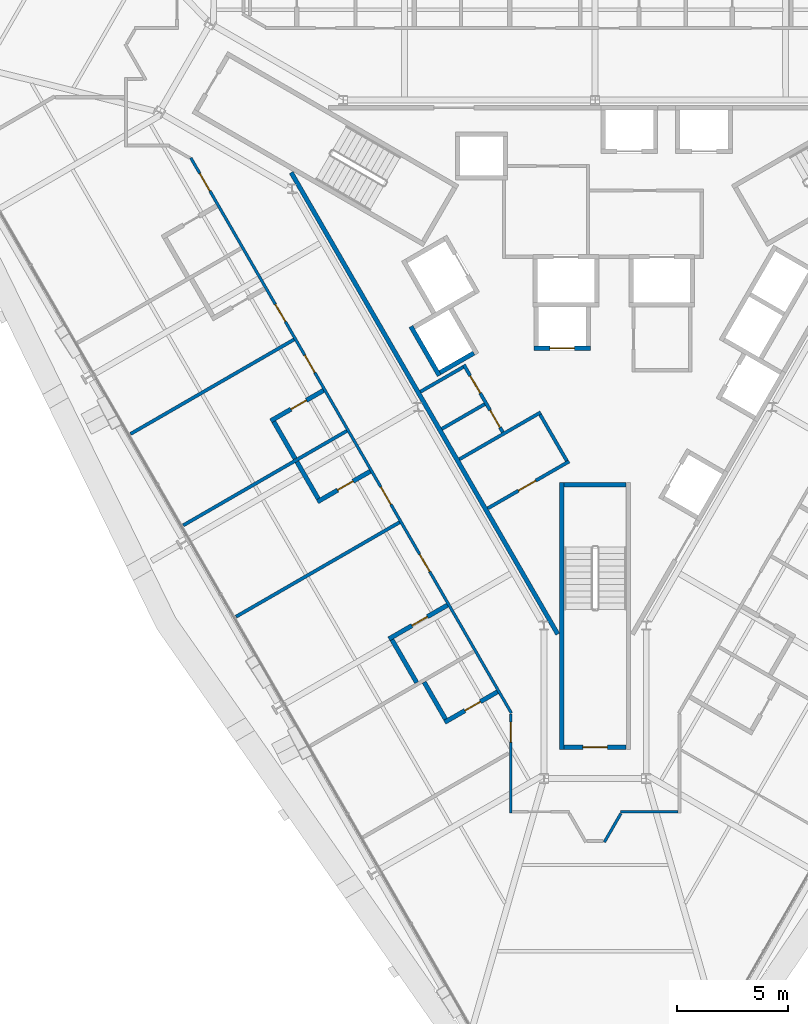
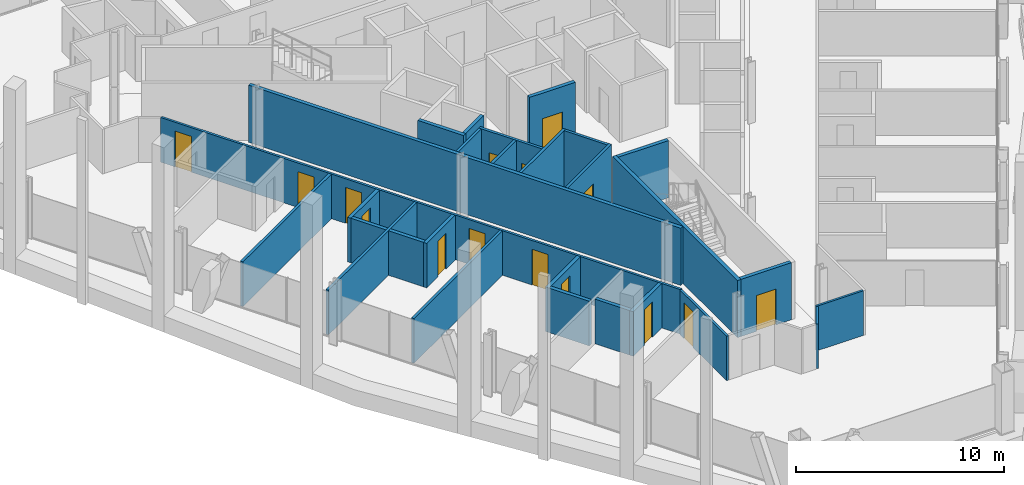
# One storey, part 13 of 21: 28 walls, 15 doors, 15 openings.
"""IFC4 building model written with IfcOpenShell, lengths in metres."""

import ifcopenshell
import ifcopenshell.guid

model = None  # the IFC model being written
_history = None  # IfcOwnerHistory: only IFC2X3 demands one
_inside = {}  # id of a spatial element -> (the spatial element, [elements in it])
_under = {}  # id of a project, library or spatial element -> (it, [spatial elements below it])
_declared = {}  # id of a project -> (the project, [libraries it declares])
_typed = {}  # id of a type object -> (the type object, [elements of that type])
_made_of = {}  # id of a material, layer set ... -> (it, [elements and type objects made of it])


def new_model(schema):
    """Start an empty IFC model of exactly this schema.

    Asked for "IFC4X3", IfcOpenShell would pick the latest addendum, in which some entities
    have other attributes; the version numbers below select the first issue.
    IFC2X3 requires an IfcOwnerHistory on every rooted entity: one is made here for all.
    """
    global model, _history
    if schema == "IFC4X3":
        model = ifcopenshell.file(schema_version=(4, 3, 0, 0))
    else:
        model = ifcopenshell.file(schema=schema)
    _inside.clear()
    _under.clear()
    _declared.clear()
    _typed.clear()
    _made_of.clear()
    _history = None
    if model.schema == "IFC2X3":
        org = make("IfcOrganization", Name="unknown")
        user = make(
            "IfcPersonAndOrganization",
            ThePerson=make("IfcPerson", FamilyName="unknown"),
            TheOrganization=org,
        )
        app = make(
            "IfcApplication",
            ApplicationDeveloper=org,
            Version="unknown",
            ApplicationFullName="unknown",
            ApplicationIdentifier="unknown",
        )
        _history = make(
            "IfcOwnerHistory",
            OwningUser=user,
            OwningApplication=app,
            ChangeAction="ADDED",
            CreationDate=0,
        )
    return model


def make(cls, **values):
    """One entity of the class cls with the attributes given. An attribute that is None is left unset."""
    return model.create_entity(
        cls, **{name: value for name, value in values.items() if value is not None}
    )


def rooted(cls, **values):
    """An entity with a GlobalId (a new one), such as an element, a storey or a relation."""
    return make(cls, GlobalId=ifcopenshell.guid.new(), OwnerHistory=_history, **values)


def si_unit(unit_type, name, prefix=None):
    """IfcSIUnit, for example si_unit("LENGTHUNIT", "METRE", prefix="MILLI")."""
    return make("IfcSIUnit", UnitType=unit_type, Prefix=prefix, Name=name)


def assignment(units):
    """IfcUnitAssignment: the units of a project."""
    return None if units is None else make("IfcUnitAssignment", Units=units)


def point(xyz):
    """IfcCartesianPoint."""
    return None if xyz is None else make("IfcCartesianPoint", Coordinates=xyz)


def direction(xyz):
    """IfcDirection."""
    return None if xyz is None else make("IfcDirection", DirectionRatios=xyz)


def frame(location, z_axis=None, x_axis=None):
    """IfcAxis2Placement3D, a coordinate frame: its origin and axes. An axis left out is left unset."""
    return make(
        "IfcAxis2Placement3D",
        Location=point(location),
        Axis=direction(z_axis),
        RefDirection=direction(x_axis),
    )


def frame_2d(location, x_axis=None):
    """IfcAxis2Placement2D, a coordinate frame in the plane: its origin and x axis."""
    return make(
        "IfcAxis2Placement2D", Location=point(location), RefDirection=direction(x_axis)
    )


def origin():
    """The frame at (0, 0, 0) with its axes left unset."""
    return frame((0.0, 0.0, 0.0))


def place(relative_to, where):
    """IfcLocalPlacement: puts the frame where relative to a parent placement (None: the world)."""
    return make(
        "IfcLocalPlacement", PlacementRelTo=relative_to, RelativePlacement=where
    )


def context(
    kind, dimensions, precision=None, world=None, true_north=None, identifier=None
):
    """IfcGeometricRepresentationContext, for example the 3D "Model" context."""
    return make(
        "IfcGeometricRepresentationContext",
        ContextIdentifier=identifier,
        ContextType=kind,
        CoordinateSpaceDimension=dimensions,
        Precision=precision,
        WorldCoordinateSystem=world,
        TrueNorth=true_north,
    )


def subcontext(parent, identifier, kind, view, scale=None):
    """IfcGeometricRepresentationSubContext, for example "Body" below "Model"."""
    return make(
        "IfcGeometricRepresentationSubContext",
        ContextIdentifier=identifier,
        ContextType=kind,
        ParentContext=parent,
        TargetScale=scale,
        TargetView=view,
    )


def project(units=None, contexts=None):
    """IfcProject with its units and contexts."""
    return rooted(
        "IfcProject",
        Name="project",
        RepresentationContexts=contexts,
        UnitsInContext=assignment(units),
    )


def spatial(cls, under=None, at=None, **own):
    """A site, building, storey or space (cls), placed at a placement, below another one or the project."""
    s = rooted(cls, ObjectPlacement=at, **own)
    if under is not None:
        _under.setdefault(under.id(), (under, []))[1].append(s)
    return s


def profile(cls, at=None, kind="AREA", **sizes):
    """A parametric profile (cls). Its sizes go by their IFC names, for example OverallWidth=200.0."""
    return make(cls, ProfileType=kind, Position=at, **sizes)


def rectangle(**sizes):
    """IfcRectangleProfileDef."""
    return profile("IfcRectangleProfileDef", **sizes)


def extrude(swept, where, along, depth):
    """IfcExtrudedAreaSolid: the profile swept, set in the frame where, extruded along a direction by depth."""
    return make(
        "IfcExtrudedAreaSolid",
        SweptArea=swept,
        Position=where,
        ExtrudedDirection=direction(along),
        Depth=depth,
    )


def shape(context_of_items, identifier, shape_type, items):
    """IfcShapeRepresentation: the items that make up one representation, for example the "Body"."""
    return make(
        "IfcShapeRepresentation",
        ContextOfItems=context_of_items,
        RepresentationIdentifier=identifier,
        RepresentationType=shape_type,
        Items=items,
    )


def material(Name=None, Category=None):
    """IfcMaterial."""
    return make("IfcMaterial", Name=Name, Category=Category)


def layer(
    of_material, thickness, ventilated=None, Name=None, Category=None, Priority=None
):
    """IfcMaterialLayer: one layer of a wall or slab, of a material (None: an air gap)."""
    return make(
        "IfcMaterialLayer",
        Material=of_material,
        LayerThickness=thickness,
        IsVentilated=ventilated,
        Name=Name,
        Category=Category,
        Priority=Priority,
    )


def layer_set(layers, Name=None):
    """IfcMaterialLayerSet."""
    return make("IfcMaterialLayerSet", MaterialLayers=layers, LayerSetName=Name)


def made_of(thing, what):
    """Note that an element or type object is made of a material, layer set ...; save() writes the relation."""
    if what is not None:
        _made_of.setdefault(what.id(), (what, []))[1].append(thing)
    return thing


def type_object(cls, material=None, **own):
    """A type object (cls), such as IfcWallType, which elements share."""
    return made_of(rooted(cls, **own), material)


def element(
    cls,
    number,
    at=None,
    inside=None,
    cuts=None,
    type_object=None,
    material=None,
    context=None,
    identifier="Body",
    shape_type=None,
    held_by="IfcProductDefinitionShape",
    body=None,
    shapes=None,
    **own,
):
    """One element of the class cls, such as IfcWall. Its Tag is "e" and its number.

    at: its placement. inside: the storey or other place that contains it. cuts: it is an
    opening in that element (IfcRelVoidsElement). A single representation is given by context,
    identifier, shape_type and body (its items); several are given by shapes. held_by: the class
    of the entity that holds the representations. save() writes the other relations.
    """
    e = rooted(cls, Tag="e%d" % number, ObjectPlacement=at, **own)
    if body is not None:
        shapes = [shape(context, identifier, shape_type, body)]
    if shapes is not None:
        e.Representation = make(held_by, Representations=shapes)
    if inside is not None:
        _inside.setdefault(inside.id(), (inside, []))[1].append(e)
    if cuts is not None:
        rooted(
            "IfcRelVoidsElement", RelatingBuildingElement=cuts, RelatedOpeningElement=e
        )
    if type_object is not None:
        _typed.setdefault(type_object.id(), (type_object, []))[1].append(e)
    return made_of(e, material)


def fill(opening, filler):
    """IfcRelFillsElement: the door or window that sits in an opening."""
    return rooted(
        "IfcRelFillsElement",
        RelatingOpeningElement=opening,
        RelatedBuildingElement=filler,
    )


def aggregate(whole, parts):
    """IfcRelAggregates: a whole, such as a stair, and the parts it consists of."""
    return rooted("IfcRelAggregates", RelatingObject=whole, RelatedObjects=parts)


def save(model, path):
    """Write the relations noted so far, then the file.

    IfcRelAggregates (storeys below a building ...), IfcRelContainedInSpatialStructure (elements
    in a storey), IfcRelDefinesByType, IfcRelAssociatesMaterial and IfcRelDeclares: one each for
    every whole, place, type object, material and project.
    """
    for whole, parts in _under.values():
        aggregate(whole, parts)
    for where, things in _inside.values():
        rooted(
            "IfcRelContainedInSpatialStructure",
            RelatedElements=things,
            RelatingStructure=where,
        )
    for kind, things in _typed.values():
        rooted("IfcRelDefinesByType", RelatedObjects=things, RelatingType=kind)
    for what, things in _made_of.values():
        rooted("IfcRelAssociatesMaterial", RelatedObjects=things, RelatingMaterial=what)
    for by, libraries in _declared.values():
        rooted("IfcRelDeclares", RelatingContext=by, RelatedDefinitions=libraries)
    model.write(path)


model = new_model("IFC4")

# Units and contexts
model_context = context("Model", 3, precision=1e-05, world=origin(), true_north=direction((0.0, 1.0)))
body_context = subcontext(model_context, "Body", "Model", "MODEL_VIEW")
ifc_project = project(units=[si_unit("LENGTHUNIT", "METRE"), si_unit("AREAUNIT", "SQUARE_METRE"), si_unit("VOLUMEUNIT", "CUBIC_METRE"), si_unit("PLANEANGLEUNIT", "RADIAN"), si_unit("MASSUNIT", "GRAM", prefix="KILO")], contexts=[model_context])

# Site, building, storey
site_placement = place(None, origin())
site = spatial("IfcSite", under=ifc_project, at=site_placement, CompositionType="ELEMENT")
building_placement = place(site_placement, origin())
building = spatial("IfcBuilding", under=site, at=building_placement, Name="Verrane Prism Tower", CompositionType="ELEMENT")
storey_placement = place(building_placement, frame((0.0, 0.0, 65.60009765625)))
storey = spatial("IfcBuildingStorey", under=building, at=storey_placement, Name="L14", CompositionType="ELEMENT", Elevation=65.60009765625)

# Wall
ifc_material_1 = material(Name="Gypsum board partition", Category="other")
ifc_layer_1 = layer(ifc_material_1, 0.199951171875)
ifc_layer_set_1 = layer_set([ifc_layer_1], Name="CW-200 core boundary wall 2 h")
wall_type_1 = type_object("IfcWallType", Name="CW-200 core boundary wall 2 h", PredefinedType="PARTITIONING", material=ifc_layer_set_1)
wall_1_placement = place(storey_placement, frame((-13.66357421875, 5.946044921875, 0.0), z_axis=(0.0, 0.0, 1.0), x_axis=(0.499994327219, -0.866028678941, 0.0)))
element("IfcWall", 1, at=wall_1_placement, inside=storey, type_object=wall_type_1, Name="Core boundary wall CW3-001", PredefinedType="PARTITIONING", context=body_context, shape_type="SweptSolid", body=[
    extrude(rectangle(XDim=23.967529296875, YDim=0.199951171875, at=frame_2d((11.98388671875, 0.0))), origin(), (0.0, 0.0, 1.0), 3.349853515625),
])

# Wall, opening, door
ifc_material_2 = material(Name="Concrete C40/50", Category="concrete")
ifc_layer_2 = layer(ifc_material_2, 0.199951171875)
ifc_layer_set_2 = layer_set([ifc_layer_2], Name="CW-200 stair core wall concrete C40/50 3 h")
wall_type_2 = type_object("IfcWallType", Name="CW-200 stair core wall concrete C40/50 3 h", PredefinedType="PARTITIONING", material=ifc_layer_set_2)
wall_2_placement = place(storey_placement, frame((-1.39990234375, -19.89990234375, 0.0), z_axis=(0.0, 0.0, 1.0), x_axis=(1.0, 0.0, 0.0)))
wall_2 = element("IfcWall", 2, at=wall_2_placement, inside=storey, type_object=wall_type_2, Name="Stair 3 enclosure wall", PredefinedType="PARTITIONING", context=body_context, shape_type="SweptSolid", body=[
    extrude(rectangle(XDim=2.7998046875, YDim=0.199951171875, at=frame_2d((1.39990234375, 0.0))), origin(), (0.0, 0.0, 1.0), 3.349853515625),
])
opening_1_placement = place(wall_2_placement, frame((0.85009765625, 0.0, 0.0)))
opening_1 = element("IfcOpeningElement", 3, at=opening_1_placement, cuts=wall_2, Name="Opening D14502", PredefinedType="OPENING", context=body_context, shape_type="SweptSolid", body=[
    extrude(rectangle(XDim=1.10009765625, YDim=2.10009765625, at=frame_2d((0.550048828125, 1.050048828125))), frame((0.0, 0.10986328125, 0.0), z_axis=(0.0, -1.0, 0.0), x_axis=(1.0, 0.0, 0.0)), (0.0, 0.0, 1.0), 0.219970703125),
])
ifc_material_3 = material(Name="Timber veneered door leaf", Category="wood")
door_type_1 = type_object("IfcDoorType", Name="DR-1100x2100 FD90 single leaf stair", OperationType="NOTDEFINED", PredefinedType="DOOR", material=ifc_material_3)
door_1_placement = place(opening_1_placement, origin())
door_1 = element("IfcDoor", 4, at=door_1_placement, inside=storey, type_object=door_type_1, Name="Stair 3 door", OperationType="SINGLE_SWING_LEFT", OverallHeight=2.10009765625, OverallWidth=1.10009765625, PredefinedType="DOOR", context=body_context, shape_type="SweptSolid", body=[
    extrude(rectangle(XDim=1.10009765625, YDim=2.10009765625, at=frame_2d((0.550048828125, 1.050048828125))), frame((0.0, 0.02490234375, 0.0), z_axis=(0.0, -1.0, 0.0), x_axis=(1.0, 0.0, 0.0)), (0.0, 0.0, 1.0), 0.050048828125),
])
fill(opening_1, door_1)

# Walls
wall_3_placement = place(storey_placement, frame((-1.5, -8.0, 0.0), z_axis=(0.0, 0.0, 1.0), x_axis=(0.0, -1.0, 0.0)))
element("IfcWall", 5, at=wall_3_placement, inside=storey, type_object=wall_type_2, Name="Stair 3 enclosure wall", PredefinedType="PARTITIONING", context=body_context, shape_type="SweptSolid", body=[
    extrude(rectangle(XDim=12.0, YDim=0.199951171875, at=frame_2d((6.0, 0.0))), origin(), (0.0, 0.0, 1.0), 3.349853515625),
])
wall_4_placement = place(storey_placement, frame((-1.39990234375, -8.10009765625, 0.0), z_axis=(0.0, 0.0, 1.0), x_axis=(1.0, 0.0, 0.0)))
element("IfcWall", 6, at=wall_4_placement, inside=storey, type_object=wall_type_2, Name="Stair 3 enclosure wall", PredefinedType="PARTITIONING", context=body_context, shape_type="SweptSolid", body=[
    extrude(rectangle(XDim=2.7998046875, YDim=0.199951171875, at=frame_2d((1.39990234375, 0.0))), origin(), (0.0, 0.0, 1.0), 3.349853515625),
])

# Wall, opening, door
ifc_material_4 = material(Name="Gypsum board shaft wall assembly", Category="other")
ifc_layer_3 = layer(ifc_material_4, 0.199951171875)
ifc_layer_set_3 = layer_set([ifc_layer_3], Name="HW-200 lift shaft wall 2 h")
wall_type_3 = type_object("IfcWallType", Name="HW-200 lift shaft wall 2 h", PredefinedType="PARTITIONING", material=ifc_layer_set_3)
wall_5_placement = place(storey_placement, frame((-2.7548828125, -1.949951171875, 0.0), z_axis=(0.0, 0.0, 1.0), x_axis=(1.0, 0.0, 0.0)))
wall_5 = element("IfcWall", 7, at=wall_5_placement, inside=storey, type_object=wall_type_3, Name="Lift shaft wall", PredefinedType="PARTITIONING", context=body_context, shape_type="SweptSolid", body=[
    extrude(rectangle(XDim=2.5498046875, YDim=0.199951171875, at=frame_2d((1.27490234375, 0.0))), origin(), (0.0, 0.0, 1.0), 3.599853515625),
])
opening_2_placement = place(wall_5_placement, frame((0.72509765625, 0.0, 0.0)))
opening_2 = element("IfcOpeningElement", 8, at=opening_2_placement, cuts=wall_5, Name="Opening D14504", PredefinedType="OPENING", context=body_context, shape_type="SweptSolid", body=[
    extrude(rectangle(XDim=1.10009765625, YDim=2.10009765625, at=frame_2d((0.550048828125, 1.050048828125))), frame((0.0, 0.10986328125, 0.0), z_axis=(0.0, -1.0, 0.0), x_axis=(1.0, 0.0, 0.0)), (0.0, 0.0, 1.0), 0.219970703125),
])
ifc_material_5 = material(Name="Stainless steel sliding landing door", Category="steel")
door_type_2 = type_object("IfcDoorType", Name="LD-1100x2100 lift landing door FD90 sliding", OperationType="NOTDEFINED", PredefinedType="DOOR", material=ifc_material_5)
door_2_placement = place(opening_2_placement, origin())
door_2 = element("IfcDoor", 9, at=door_2_placement, inside=storey, type_object=door_type_2, Name="Bank A lift 2 landing door", OperationType="SLIDING_TO_RIGHT", OverallHeight=2.10009765625, OverallWidth=1.10009765625, PredefinedType="DOOR", context=body_context, shape_type="SweptSolid", body=[
    extrude(rectangle(XDim=1.10009765625, YDim=2.10009765625, at=frame_2d((0.550048828125, 1.050048828125))), frame((0.0, 0.02490234375, 0.0), z_axis=(0.0, -1.0, 0.0), x_axis=(1.0, 0.0, 0.0)), (0.0, 0.0, 1.0), 0.050048828125),
])
fill(opening_2, door_2)

# Walls
wall_6_placement = place(storey_placement, frame((-6.9697265625, -3.048095703125, 0.0), z_axis=(0.0, 0.0, 1.0), x_axis=(0.866036909293, 0.499980071345, 0.0)))
element("IfcWall", 10, at=wall_6_placement, inside=storey, type_object=wall_type_3, Name="Lift shaft wall", PredefinedType="PARTITIONING", context=body_context, shape_type="SweptSolid", body=[
    extrude(rectangle(XDim=1.75, YDim=0.199951171875, at=frame_2d((0.875, 0.0))), origin(), (0.0, 0.0, 1.0), 3.599853515625),
])
wall_7_placement = place(storey_placement, frame((-7.00634765625, -3.184814453125, 0.0), z_axis=(0.0, 0.0, 1.0), x_axis=(-0.499990435942, 0.866030925526, 0.0)))
element("IfcWall", 11, at=wall_7_placement, inside=storey, type_object=wall_type_3, Name="Lift shaft wall", PredefinedType="PARTITIONING", context=body_context, shape_type="SweptSolid", body=[
    extrude(rectangle(XDim=2.5498046875, YDim=0.199951171875, at=frame_2d((1.27490234375, 0.0))), origin(), (0.0, 0.0, 1.0), 3.599853515625),
])

# Wall, openings, doors
ifc_material_6 = material(Name="Gypsum board partition", Category="other")
ifc_layer_4 = layer(ifc_material_6, 0.125)
ifc_layer_set_4 = layer_set([ifc_layer_4], Name="PW-125 corridor wall 1 h")
wall_type_4 = type_object("IfcWallType", Name="PW-125 corridor wall 1 h", PredefinedType="PARTITIONING", material=ifc_layer_set_4)
wall_8_placement = place(storey_placement, frame((-3.765869140625, -18.358154296875, 0.0), z_axis=(0.0, 0.0, 1.0), x_axis=(-0.500003973642, 0.866023109589, 0.0)))
wall_8 = element("IfcWall", 12, at=wall_8_placement, inside=storey, type_object=wall_type_4, Name="Corridor wall 018", PredefinedType="PARTITIONING", context=body_context, shape_type="SweptSolid", body=[
    extrude(rectangle(XDim=28.826416015625, YDim=0.125, at=frame_2d((14.4130859375, 0.0))), origin(), (0.0, 0.0, 1.0), 2.61279296875),
])
opening_3_placement = place(wall_8_placement, frame((27.114013671875, 0.0, 0.0)))
opening_3 = element("IfcOpeningElement", 13, at=opening_3_placement, cuts=wall_8, Name="Opening D14032", PredefinedType="OPENING", context=body_context, shape_type="SweptSolid", body=[
    extrude(rectangle(XDim=0.89990234375, YDim=2.10009765625, at=frame_2d((0.449951171875, 1.050048828125))), frame((0.0, 0.072509765625, 0.0), z_axis=(0.0, -1.0, 0.0), x_axis=(1.0, 0.0, 0.0)), (0.0, 0.0, 1.0), 0.14501953125),
])
opening_4_placement = place(wall_8_placement, frame((20.322021484375, 0.0, 0.0)))
opening_4 = element("IfcOpeningElement", 14, at=opening_4_placement, cuts=wall_8, Name="Opening D14034", PredefinedType="OPENING", context=body_context, shape_type="SweptSolid", body=[
    extrude(rectangle(XDim=0.89990234375, YDim=2.10009765625, at=frame_2d((0.449951171875, 1.050048828125))), frame((0.0, 0.072509765625, 0.0), z_axis=(0.0, -1.0, 0.0), x_axis=(1.0, 0.0, 0.0)), (0.0, 0.0, 1.0), 0.14501953125),
])
opening_5_placement = place(wall_8_placement, frame((17.679931640625, 0.0, 0.0)))
opening_5 = element("IfcOpeningElement", 15, at=opening_5_placement, cuts=wall_8, Name="Opening D14036", PredefinedType="OPENING", context=body_context, shape_type="SweptSolid", body=[
    extrude(rectangle(XDim=0.89990234375, YDim=2.10009765625, at=frame_2d((0.449951171875, 1.050048828125))), frame((0.0, 0.072509765625, 0.0), z_axis=(0.0, -1.0, 0.0), x_axis=(1.0, 0.0, 0.0)), (0.0, 0.0, 1.0), 0.14501953125),
])
opening_6_placement = place(wall_8_placement, frame((10.8359375, 0.0, 0.0)))
opening_6 = element("IfcOpeningElement", 16, at=opening_6_placement, cuts=wall_8, Name="Opening D14038", PredefinedType="OPENING", context=body_context, shape_type="SweptSolid", body=[
    extrude(rectangle(XDim=0.89990234375, YDim=2.10009765625, at=frame_2d((0.449951171875, 1.050048828125))), frame((0.0, 0.072509765625, 0.0), z_axis=(0.0, -1.0, 0.0), x_axis=(1.0, 0.0, 0.0)), (0.0, 0.0, 1.0), 0.14501953125),
])
opening_7_placement = place(wall_8_placement, frame((7.342041015625, 0.0, 0.0)))
opening_7 = element("IfcOpeningElement", 17, at=opening_7_placement, cuts=wall_8, Name="Opening D14040", PredefinedType="OPENING", context=body_context, shape_type="SweptSolid", body=[
    extrude(rectangle(XDim=0.89990234375, YDim=2.10009765625, at=frame_2d((0.449951171875, 1.050048828125))), frame((0.0, 0.072509765625, 0.0), z_axis=(0.0, -1.0, 0.0), x_axis=(1.0, 0.0, 0.0)), (0.0, 0.0, 1.0), 0.14501953125),
])
ifc_material_7 = material(Name="Timber veneered door leaf", Category="wood")
door_type_3 = type_object("IfcDoorType", Name="DR-900x2100 FD20 single leaf unit", OperationType="NOTDEFINED", PredefinedType="DOOR", material=ifc_material_7)
door_3_placement = place(opening_3_placement, origin())
door_3 = element("IfcDoor", 18, at=door_3_placement, inside=storey, type_object=door_type_3, Name="Guest Room door", OperationType="SINGLE_SWING_LEFT", OverallHeight=2.10009765625, OverallWidth=0.89990234375, PredefinedType="DOOR", context=body_context, shape_type="SweptSolid", body=[
    extrude(rectangle(XDim=0.89990234375, YDim=2.10009765625, at=frame_2d((0.449951171875, 1.050048828125))), frame((0.0, 0.02490234375, 0.0), z_axis=(0.0, -1.0, 0.0), x_axis=(1.0, 0.0, 0.0)), (0.0, 0.0, 1.0), 0.050048828125),
])
fill(opening_3, door_3)
door_4_placement = place(opening_4_placement, origin())
door_4 = element("IfcDoor", 19, at=door_4_placement, inside=storey, type_object=door_type_3, Name="Guest Room door", OperationType="SINGLE_SWING_LEFT", OverallHeight=2.10009765625, OverallWidth=0.89990234375, PredefinedType="DOOR", context=body_context, shape_type="SweptSolid", body=[
    extrude(rectangle(XDim=0.89990234375, YDim=2.10009765625, at=frame_2d((0.449951171875, 1.050048828125))), frame((0.0, 0.02490234375, 0.0), z_axis=(0.0, -1.0, 0.0), x_axis=(1.0, 0.0, 0.0)), (0.0, 0.0, 1.0), 0.050048828125),
])
fill(opening_4, door_4)
door_5_placement = place(opening_5_placement, origin())
door_5 = element("IfcDoor", 20, at=door_5_placement, inside=storey, type_object=door_type_3, Name="Guest Room door", OperationType="SINGLE_SWING_LEFT", OverallHeight=2.10009765625, OverallWidth=0.89990234375, PredefinedType="DOOR", context=body_context, shape_type="SweptSolid", body=[
    extrude(rectangle(XDim=0.89990234375, YDim=2.10009765625, at=frame_2d((0.449951171875, 1.050048828125))), frame((0.0, 0.02490234375, 0.0), z_axis=(0.0, -1.0, 0.0), x_axis=(1.0, 0.0, 0.0)), (0.0, 0.0, 1.0), 0.050048828125),
])
fill(opening_5, door_5)
door_6_placement = place(opening_6_placement, origin())
door_6 = element("IfcDoor", 21, at=door_6_placement, inside=storey, type_object=door_type_3, Name="Guest Room door", OperationType="SINGLE_SWING_LEFT", OverallHeight=2.10009765625, OverallWidth=0.89990234375, PredefinedType="DOOR", context=body_context, shape_type="SweptSolid", body=[
    extrude(rectangle(XDim=0.89990234375, YDim=2.10009765625, at=frame_2d((0.449951171875, 1.050048828125))), frame((0.0, 0.02490234375, 0.0), z_axis=(0.0, -1.0, 0.0), x_axis=(1.0, 0.0, 0.0)), (0.0, 0.0, 1.0), 0.050048828125),
])
fill(opening_6, door_6)
door_7_placement = place(opening_7_placement, origin())
door_7 = element("IfcDoor", 22, at=door_7_placement, inside=storey, type_object=door_type_3, Name="Junior Suite door", OperationType="SINGLE_SWING_LEFT", OverallHeight=2.10009765625, OverallWidth=0.89990234375, PredefinedType="DOOR", context=body_context, shape_type="SweptSolid", body=[
    extrude(rectangle(XDim=0.89990234375, YDim=2.10009765625, at=frame_2d((0.449951171875, 1.050048828125))), frame((0.0, 0.02490234375, 0.0), z_axis=(0.0, -1.0, 0.0), x_axis=(1.0, 0.0, 0.0)), (0.0, 0.0, 1.0), 0.050048828125),
])
fill(opening_7, door_7)

# Wall, opening, door
wall_9_placement = place(storey_placement, frame((-3.797119140625, -22.859619140625, 0.0), z_axis=(0.0, 0.0, 1.0), x_axis=(0.0, 1.0, 0.0)))
wall_9 = element("IfcWall", 23, at=wall_9_placement, inside=storey, type_object=wall_type_4, Name="Corridor wall 045", PredefinedType="PARTITIONING", context=body_context, shape_type="SweptSolid", body=[
    extrude(rectangle(XDim=4.470703125, YDim=0.125, at=frame_2d((2.2353515625, 0.0))), origin(), (0.0, 0.0, 1.0), 2.61279296875),
])
opening_8_placement = place(wall_9_placement, frame((3.197509765625, 0.0, 0.0)))
opening_8 = element("IfcOpeningElement", 24, at=opening_8_placement, cuts=wall_9, Name="Opening D14042", PredefinedType="OPENING", context=body_context, shape_type="SweptSolid", body=[
    extrude(rectangle(XDim=0.89990234375, YDim=2.10009765625, at=frame_2d((0.449951171875, 1.050048828125))), frame((0.0, 0.072509765625, 0.0), z_axis=(0.0, -1.0, 0.0), x_axis=(1.0, 0.0, 0.0)), (0.0, 0.0, 1.0), 0.14501953125),
])
door_8_placement = place(opening_8_placement, origin())
door_8 = element("IfcDoor", 25, at=door_8_placement, inside=storey, type_object=door_type_3, Name="Guest Room door", OperationType="SINGLE_SWING_RIGHT", OverallHeight=2.10009765625, OverallWidth=0.89990234375, PredefinedType="DOOR", context=body_context, shape_type="SweptSolid", body=[
    extrude(rectangle(XDim=0.89990234375, YDim=2.10009765625, at=frame_2d((0.449951171875, 1.050048828125))), frame((0.0, 0.02490234375, 0.0), z_axis=(0.0, -1.0, 0.0), x_axis=(1.0, 0.0, 0.0)), (0.0, 0.0, 1.0), 0.050048828125),
])
fill(opening_8, door_8)

# Walls
wall_10_placement = place(storey_placement, frame((0.415771484375, -24.162109375, 0.0), z_axis=(0.0, 0.0, 1.0), x_axis=(0.499609040113, 0.866251006947, 0.0)))
element("IfcWall", 26, at=wall_10_placement, inside=storey, type_object=wall_type_4, Name="Corridor wall 050", PredefinedType="PARTITIONING", context=body_context, shape_type="SweptSolid", body=[
    extrude(rectangle(XDim=1.490966796875, YDim=0.125, at=frame_2d((0.74560546875, 0.0))), origin(), (0.0, 0.0, 1.0), 2.61279296875),
])
wall_11_placement = place(storey_placement, frame((1.140380859375, -22.797119140625, 0.0), z_axis=(0.0, 0.0, 1.0), x_axis=(1.0, 0.0, 0.0)))
element("IfcWall", 27, at=wall_11_placement, inside=storey, type_object=wall_type_4, Name="Corridor wall 051", PredefinedType="PARTITIONING", context=body_context, shape_type="SweptSolid", body=[
    extrude(rectangle(XDim=2.591552734375, YDim=0.125, at=frame_2d((1.2958984375, 0.0))), origin(), (0.0, 0.0, 1.0), 2.61279296875),
])
ifc_material_8 = material(Name="Gypsum board partition", Category="other")
ifc_layer_5 = layer(ifc_material_8, 0.14990234375)
ifc_layer_set_5 = layer_set([ifc_layer_5], Name="PW-150 demising wall 1 h")
wall_type_5 = type_object("IfcWallType", Name="PW-150 demising wall 1 h", PredefinedType="PARTITIONING", material=ifc_layer_set_5)
wall_12_placement = place(storey_placement, frame((-20.888671875, -5.808837890625, 0.0), z_axis=(0.0, 0.0, 1.0), x_axis=(0.866022790583, 0.50000452617, 0.0)))
element("IfcWall", 28, at=wall_12_placement, inside=storey, type_object=wall_type_5, Name="Demising wall 009", PredefinedType="PARTITIONING", context=body_context, shape_type="SweptSolid", body=[
    extrude(rectangle(XDim=8.4912109375, YDim=0.14990234375, at=frame_2d((4.24560546875, 0.0))), origin(), (0.0, 0.0, 1.0), 2.61279296875),
])
wall_13_placement = place(storey_placement, frame((-18.516845703125, -9.9169921875, 0.0), z_axis=(0.0, 0.0, 1.0), x_axis=(0.866017528739, 0.50001363973, 0.0)))
element("IfcWall", 29, at=wall_13_placement, inside=storey, type_object=wall_type_5, Name="Demising wall 016", PredefinedType="PARTITIONING", context=body_context, shape_type="SweptSolid", body=[
    extrude(rectangle(XDim=8.491455078125, YDim=0.14990234375, at=frame_2d((4.24560546875, 0.0))), origin(), (0.0, 0.0, 1.0), 2.61279296875),
])
wall_14_placement = place(storey_placement, frame((-16.14501953125, -14.025146484375, 0.0), z_axis=(0.0, 0.0, 1.0), x_axis=(0.866024716685, 0.500001190089, 0.0)))
element("IfcWall", 30, at=wall_14_placement, inside=storey, type_object=wall_type_5, Name="Demising wall 022", PredefinedType="PARTITIONING", context=body_context, shape_type="SweptSolid", body=[
    extrude(rectangle(XDim=8.49169921875, YDim=0.14990234375, at=frame_2d((4.245849609375, 0.0))), origin(), (0.0, 0.0, 1.0), 2.61279296875),
])
ifc_material_9 = material(Name="Gypsum board partition", Category="other")
ifc_layer_6 = layer(ifc_material_9, 0.199951171875)
ifc_layer_set_6 = layer_set([ifc_layer_6], Name="PW-200 plumbing wall")
wall_type_6 = type_object("IfcWallType", Name="PW-200 plumbing wall", PredefinedType="PARTITIONING", material=ifc_layer_set_6)
wall_15_placement = place(storey_placement, frame((-14.447021484375, -5.257568359375, 0.0), z_axis=(0.0, 0.0, 1.0), x_axis=(0.499667418833, -0.866217334482, 0.0)))
element("IfcWall", 31, at=wall_15_placement, inside=storey, type_object=wall_type_6, Name="Plumbing wall 028", PredefinedType="PARTITIONING", context=body_context, shape_type="SweptSolid", body=[
    extrude(rectangle(XDim=1.920166015625, YDim=0.199951171875, at=frame_2d((0.9599609375, 0.0))), origin(), (0.0, 0.0, 1.0), 2.61279296875),
])

# Wall, opening, door
wall_16_placement = place(storey_placement, frame((-12.213134765625, -3.852294921875, 0.0), z_axis=(0.0, 0.0, 1.0), x_axis=(-0.866005850709, -0.50003386539, 0.0)))
wall_16 = element("IfcWall", 32, at=wall_16_placement, inside=storey, type_object=wall_type_6, Name="Plumbing wall 029", PredefinedType="PARTITIONING", context=body_context, shape_type="SweptSolid", body=[
    extrude(rectangle(XDim=2.737060546875, YDim=0.199951171875, at=frame_2d((1.36865234375, 0.0))), origin(), (0.0, 0.0, 1.0), 2.61279296875),
])
opening_9_placement = place(wall_16_placement, frame((0.88720703125, 0.0, 0.0)))
opening_9 = element("IfcOpeningElement", 33, at=opening_9_placement, cuts=wall_16, Name="Opening D14037", PredefinedType="OPENING", context=body_context, shape_type="SweptSolid", body=[
    extrude(rectangle(XDim=0.800048828125, YDim=2.10009765625, at=frame_2d((0.39990234375, 1.050048828125))), frame((0.0, 0.10986328125, 0.0), z_axis=(0.0, -1.0, 0.0), x_axis=(1.0, 0.0, 0.0)), (0.0, 0.0, 1.0), 0.219970703125),
])
ifc_material_10 = material(Name="Timber veneered door leaf", Category="wood")
door_type_4 = type_object("IfcDoorType", Name="DR-800x2100 single leaf bath", OperationType="NOTDEFINED", PredefinedType="DOOR", material=ifc_material_10)
door_9_placement = place(opening_9_placement, origin())
door_9 = element("IfcDoor", 34, at=door_9_placement, inside=storey, type_object=door_type_4, Name="En-Suite door", OperationType="SINGLE_SWING_RIGHT", OverallHeight=2.10009765625, OverallWidth=0.800048828125, PredefinedType="DOOR", context=body_context, shape_type="SweptSolid", body=[
    extrude(rectangle(XDim=0.800048828125, YDim=2.10009765625, at=frame_2d((0.39990234375, 1.050048828125))), frame((0.0, 0.02490234375, 0.0), z_axis=(0.0, -1.0, 0.0), x_axis=(1.0, 0.0, 0.0)), (0.0, 0.0, 1.0), 0.050048828125),
])
fill(opening_9, door_9)

# Wall
wall_17_placement = place(storey_placement, frame((-13.407470703125, -7.058837890625, 0.0), z_axis=(0.0, 0.0, 1.0), x_axis=(0.499993829411, -0.866028966346, 0.0)))
element("IfcWall", 35, at=wall_17_placement, inside=storey, type_object=wall_type_6, Name="Plumbing wall 030", PredefinedType="PARTITIONING", context=body_context, shape_type="SweptSolid", body=[
    extrude(rectangle(XDim=1.9208984375, YDim=0.199951171875, at=frame_2d((0.96044921875, 0.0))), origin(), (0.0, 0.0, 1.0), 2.61279296875),
])

# Wall, opening, door
wall_18_placement = place(storey_placement, frame((-12.483642578125, -8.85888671875, 0.0), z_axis=(0.0, 0.0, 1.0), x_axis=(0.866028150195, 0.499995243048, 0.0)))
wall_18 = element("IfcWall", 36, at=wall_18_placement, inside=storey, type_object=wall_type_6, Name="Plumbing wall 033", PredefinedType="PARTITIONING", context=body_context, shape_type="SweptSolid", body=[
    extrude(rectangle(XDim=2.7373046875, YDim=0.199951171875, at=frame_2d((1.36865234375, 0.0))), origin(), (0.0, 0.0, 1.0), 2.61279296875),
])
opening_10_placement = place(wall_18_placement, frame((1.050048828125, 0.0, 0.0)))
opening_10 = element("IfcOpeningElement", 37, at=opening_10_placement, cuts=wall_18, Name="Opening D14039", PredefinedType="OPENING", context=body_context, shape_type="SweptSolid", body=[
    extrude(rectangle(XDim=0.800048828125, YDim=2.10009765625, at=frame_2d((0.39990234375, 1.050048828125))), frame((0.0, 0.10986328125, 0.0), z_axis=(0.0, -1.0, 0.0), x_axis=(1.0, 0.0, 0.0)), (0.0, 0.0, 1.0), 0.219970703125),
])
door_10_placement = place(opening_10_placement, origin())
door_10 = element("IfcDoor", 38, at=door_10_placement, inside=storey, type_object=door_type_4, Name="En-Suite door", OperationType="SINGLE_SWING_LEFT", OverallHeight=2.10009765625, OverallWidth=0.800048828125, PredefinedType="DOOR", context=body_context, shape_type="SweptSolid", body=[
    extrude(rectangle(XDim=0.800048828125, YDim=2.10009765625, at=frame_2d((0.39990234375, 1.050048828125))), frame((0.0, 0.02490234375, 0.0), z_axis=(0.0, -1.0, 0.0), x_axis=(1.0, 0.0, 0.0)), (0.0, 0.0, 1.0), 0.050048828125),
])
fill(opening_10, door_10)

# Wall
wall_19_placement = place(storey_placement, frame((-9.134033203125, -15.060546875, 0.0), z_axis=(0.0, 0.0, 1.0), x_axis=(0.500092923031, -0.865971748, 0.0)))
element("IfcWall", 39, at=wall_19_placement, inside=storey, type_object=wall_type_6, Name="Plumbing wall 036", PredefinedType="PARTITIONING", context=body_context, shape_type="SweptSolid", body=[
    extrude(rectangle(XDim=2.224609375, YDim=0.199951171875, at=frame_2d((1.1123046875, 0.0))), origin(), (0.0, 0.0, 1.0), 2.61279296875),
])

# Wall, opening, door
wall_20_placement = place(storey_placement, frame((-6.64013671875, -13.50537109375, 0.0), z_axis=(0.0, 0.0, 1.0), x_axis=(-0.866038344573, -0.499977585228, 0.0)))
wall_20 = element("IfcWall", 40, at=wall_20_placement, inside=storey, type_object=wall_type_6, Name="Plumbing wall 037", PredefinedType="PARTITIONING", context=body_context, shape_type="SweptSolid", body=[
    extrude(rectangle(XDim=3.037353515625, YDim=0.199951171875, at=frame_2d((1.5185546875, 0.0))), origin(), (0.0, 0.0, 1.0), 2.61279296875),
])
opening_11_placement = place(wall_20_placement, frame((1.037353515625, 0.0, 0.0)))
opening_11 = element("IfcOpeningElement", 41, at=opening_11_placement, cuts=wall_20, Name="Opening D14041", PredefinedType="OPENING", context=body_context, shape_type="SweptSolid", body=[
    extrude(rectangle(XDim=0.800048828125, YDim=2.10009765625, at=frame_2d((0.39990234375, 1.050048828125))), frame((0.0, 0.10986328125, 0.0), z_axis=(0.0, -1.0, 0.0), x_axis=(1.0, 0.0, 0.0)), (0.0, 0.0, 1.0), 0.219970703125),
])
door_11_placement = place(opening_11_placement, origin())
door_11 = element("IfcDoor", 42, at=door_11_placement, inside=storey, type_object=door_type_4, Name="En-Suite door", OperationType="SINGLE_SWING_RIGHT", OverallHeight=2.10009765625, OverallWidth=0.800048828125, PredefinedType="DOOR", context=body_context, shape_type="SweptSolid", body=[
    extrude(rectangle(XDim=0.800048828125, YDim=2.10009765625, at=frame_2d((0.39990234375, 1.050048828125))), frame((0.0, 0.02490234375, 0.0), z_axis=(0.0, -1.0, 0.0), x_axis=(1.0, 0.0, 0.0)), (0.0, 0.0, 1.0), 0.050048828125),
])
fill(opening_11, door_11)

# Wall
wall_21_placement = place(storey_placement, frame((-7.6865234375, -16.967041015625, 0.0), z_axis=(0.0, 0.0, 1.0), x_axis=(0.500026156197, -0.86601030197, 0.0)))
element("IfcWall", 43, at=wall_21_placement, inside=storey, type_object=wall_type_6, Name="Plumbing wall 040", PredefinedType="PARTITIONING", context=body_context, shape_type="SweptSolid", body=[
    extrude(rectangle(XDim=1.92529296875, YDim=0.199951171875, at=frame_2d((0.962646484375, 0.0))), origin(), (0.0, 0.0, 1.0), 2.61279296875),
])

# Wall, opening, door
wall_22_placement = place(storey_placement, frame((-6.760498046875, -18.77099609375, 0.0), z_axis=(0.0, 0.0, 1.0), x_axis=(0.866005850709, 0.50003386539, 0.0)))
wall_22 = element("IfcWall", 44, at=wall_22_placement, inside=storey, type_object=wall_type_6, Name="Plumbing wall 041", PredefinedType="PARTITIONING", context=body_context, shape_type="SweptSolid", body=[
    extrude(rectangle(XDim=2.737060546875, YDim=0.199951171875, at=frame_2d((1.36865234375, 0.0))), origin(), (0.0, 0.0, 1.0), 2.61279296875),
])
opening_12_placement = place(wall_22_placement, frame((1.050048828125, 0.0, 0.0)))
opening_12 = element("IfcOpeningElement", 45, at=opening_12_placement, cuts=wall_22, Name="Opening D14043", PredefinedType="OPENING", context=body_context, shape_type="SweptSolid", body=[
    extrude(rectangle(XDim=0.800048828125, YDim=2.10009765625, at=frame_2d((0.39990234375, 1.050048828125))), frame((0.0, 0.10986328125, 0.0), z_axis=(0.0, -1.0, 0.0), x_axis=(1.0, 0.0, 0.0)), (0.0, 0.0, 1.0), 0.219970703125),
])
door_12_placement = place(opening_12_placement, origin())
door_12 = element("IfcDoor", 46, at=door_12_placement, inside=storey, type_object=door_type_4, Name="En-Suite door", OperationType="SINGLE_SWING_LEFT", OverallHeight=2.10009765625, OverallWidth=0.800048828125, PredefinedType="DOOR", context=body_context, shape_type="SweptSolid", body=[
    extrude(rectangle(XDim=0.800048828125, YDim=2.10009765625, at=frame_2d((0.39990234375, 1.050048828125))), frame((0.0, 0.02490234375, 0.0), z_axis=(0.0, -1.0, 0.0), x_axis=(1.0, 0.0, 0.0)), (0.0, 0.0, 1.0), 0.050048828125),
])
fill(opening_12, door_12)

# Walls
ifc_material_11 = material(Name="Gypsum board partition", Category="other")
ifc_layer_7 = layer(ifc_material_11, 0.14990234375)
ifc_layer_set_7 = layer_set([ifc_layer_7], Name="RS-150 riser enclosure wall 1 h")
wall_type_7 = type_object("IfcWallType", Name="RS-150 riser enclosure wall 1 h", PredefinedType="PARTITIONING", material=ifc_layer_set_7)
wall_23_placement = place(storey_placement, frame((-7.8564453125, -3.912109375, 0.0), z_axis=(0.0, 0.0, 1.0), x_axis=(0.865971748, 0.500092923031, 0.0)))
element("IfcWall", 47, at=wall_23_placement, inside=storey, type_object=wall_type_7, Name="Riser wall RS3-001", PredefinedType="PARTITIONING", context=body_context, shape_type="SweptSolid", body=[
    extrude(rectangle(XDim=2.224609375, YDim=0.14990234375, at=frame_2d((1.1123046875, 0.0))), origin(), (0.0, 0.0, 1.0), 3.349853515625),
])
wall_24_placement = place(storey_placement, frame((-6.892333984375, -5.58203125, 0.0), z_axis=(0.0, 0.0, 1.0), x_axis=(0.865944298464, 0.500140452231, 0.0)))
element("IfcWall", 48, at=wall_24_placement, inside=storey, type_object=wall_type_7, Name="Riser wall RS3-002", PredefinedType="PARTITIONING", context=body_context, shape_type="SweptSolid", body=[
    extrude(rectangle(XDim=2.224365234375, YDim=0.14990234375, at=frame_2d((1.1123046875, 0.0))), origin(), (0.0, 0.0, 1.0), 3.349853515625),
])
wall_25_placement = place(storey_placement, frame((-6.10009765625, -6.945556640625, 0.0), z_axis=(0.0, 0.0, 1.0), x_axis=(0.866038200431, 0.499977834903, 0.0)))
element("IfcWall", 49, at=wall_25_placement, inside=storey, type_object=wall_type_7, Name="Riser wall RS3-003", PredefinedType="PARTITIONING", context=body_context, shape_type="SweptSolid", body=[
    extrude(rectangle(XDim=4.220458984375, YDim=0.14990234375, at=frame_2d((2.1103515625, 0.0))), origin(), (0.0, 0.0, 1.0), 3.349853515625),
])

# Wall, openings, doors
wall_26_placement = place(storey_placement, frame((-4.152099609375, -5.728759765625, 0.0), z_axis=(0.0, 0.0, 1.0), x_axis=(-0.500024287448, 0.866011380966, 0.0)))
wall_26 = element("IfcWall", 50, at=wall_26_placement, inside=storey, type_object=wall_type_7, Name="Riser wall RS3-004", PredefinedType="PARTITIONING", context=body_context, shape_type="SweptSolid", body=[
    extrude(rectangle(XDim=3.500732421875, YDim=0.14990234375, at=frame_2d((1.75048828125, 0.0))), origin(), (0.0, 0.0, 1.0), 3.349853515625),
])
opening_13_placement = place(wall_26_placement, frame((2.025634765625, 0.0, 0.0)))
opening_13 = element("IfcOpeningElement", 51, at=opening_13_placement, cuts=wall_26, Name="Opening D14512", PredefinedType="OPENING", context=body_context, shape_type="SweptSolid", body=[
    extrude(rectangle(XDim=0.89990234375, YDim=2.10009765625, at=frame_2d((0.449951171875, 1.050048828125))), frame((0.0, 0.0849609375, 0.0), z_axis=(0.0, -1.0, 0.0), x_axis=(1.0, 0.0, 0.0)), (0.0, 0.0, 1.0), 0.169921875),
])
opening_14_placement = place(wall_26_placement, frame((0.247802734375, 0.0, 0.0)))
opening_14 = element("IfcOpeningElement", 52, at=opening_14_placement, cuts=wall_26, Name="Opening D14513", PredefinedType="OPENING", context=body_context, shape_type="SweptSolid", body=[
    extrude(rectangle(XDim=0.89990234375, YDim=2.10009765625, at=frame_2d((0.449951171875, 1.050048828125))), frame((0.0, 0.0849609375, 0.0), z_axis=(0.0, -1.0, 0.0), x_axis=(1.0, 0.0, 0.0)), (0.0, 0.0, 1.0), 0.169921875),
])
ifc_material_12 = material(Name="Timber veneered door leaf", Category="wood")
door_type_5 = type_object("IfcDoorType", Name="DR-900x2100 FD60 single leaf riser", OperationType="NOTDEFINED", PredefinedType="DOOR", material=ifc_material_12)
door_13_placement = place(opening_13_placement, origin())
door_13 = element("IfcDoor", 53, at=door_13_placement, inside=storey, type_object=door_type_5, Name="Riser door D14512", OperationType="SINGLE_SWING_RIGHT", OverallHeight=2.10009765625, OverallWidth=0.89990234375, PredefinedType="DOOR", context=body_context, shape_type="SweptSolid", body=[
    extrude(rectangle(XDim=0.89990234375, YDim=2.10009765625, at=frame_2d((0.449951171875, 1.050048828125))), frame((0.0, 0.02490234375, 0.0), z_axis=(0.0, -1.0, 0.0), x_axis=(1.0, 0.0, 0.0)), (0.0, 0.0, 1.0), 0.050048828125),
])
fill(opening_13, door_13)
door_14_placement = place(opening_14_placement, origin())
door_14 = element("IfcDoor", 54, at=door_14_placement, inside=storey, type_object=door_type_5, Name="Riser door D14513", OperationType="SINGLE_SWING_LEFT", OverallHeight=2.10009765625, OverallWidth=0.89990234375, PredefinedType="DOOR", context=body_context, shape_type="SweptSolid", body=[
    extrude(rectangle(XDim=0.89990234375, YDim=2.10009765625, at=frame_2d((0.449951171875, 1.050048828125))), frame((0.0, 0.02490234375, 0.0), z_axis=(0.0, -1.0, 0.0), x_axis=(1.0, 0.0, 0.0)), (0.0, 0.0, 1.0), 0.050048828125),
])
fill(opening_14, door_14)

# Wall, opening, door
wall_27_placement = place(storey_placement, frame((-4.824951171875, -9.153564453125, 0.0), z_axis=(0.0, 0.0, 1.0), x_axis=(0.866023738697, 0.500002884005, 0.0)))
wall_27 = element("IfcWall", 55, at=wall_27_placement, inside=storey, type_object=wall_type_7, Name="Riser wall RS3-005", PredefinedType="PARTITIONING", context=body_context, shape_type="SweptSolid", body=[
    extrude(rectangle(XDim=4.22021484375, YDim=0.14990234375, at=frame_2d((2.110107421875, 0.0))), origin(), (0.0, 0.0, 1.0), 3.349853515625),
])
opening_15_placement = place(wall_27_placement, frame((1.594970703125, 0.0, 0.0)))
opening_15 = element("IfcOpeningElement", 56, at=opening_15_placement, cuts=wall_27, Name="Opening D14514", PredefinedType="OPENING", context=body_context, shape_type="SweptSolid", body=[
    extrude(rectangle(XDim=0.89990234375, YDim=2.10009765625, at=frame_2d((0.449951171875, 1.050048828125))), frame((0.0, 0.0849609375, 0.0), z_axis=(0.0, -1.0, 0.0), x_axis=(1.0, 0.0, 0.0)), (0.0, 0.0, 1.0), 0.169921875),
])
ifc_material_13 = material(Name="Timber veneered door leaf", Category="wood")
door_type_6 = type_object("IfcDoorType", Name="DR-900x2100 FD20 single leaf store", OperationType="NOTDEFINED", PredefinedType="DOOR", material=ifc_material_13)
door_15_placement = place(opening_15_placement, origin())
door_15 = element("IfcDoor", 57, at=door_15_placement, inside=storey, type_object=door_type_6, Name="Room door D14514", OperationType="SINGLE_SWING_LEFT", OverallHeight=2.10009765625, OverallWidth=0.89990234375, PredefinedType="DOOR", context=body_context, shape_type="SweptSolid", body=[
    extrude(rectangle(XDim=0.89990234375, YDim=2.10009765625, at=frame_2d((0.449951171875, 1.050048828125))), frame((0.0, 0.02490234375, 0.0), z_axis=(0.0, -1.0, 0.0), x_axis=(1.0, 0.0, 0.0)), (0.0, 0.0, 1.0), 0.050048828125),
])
fill(opening_15, door_15)

# Wall
wall_28_placement = place(storey_placement, frame((-2.472412109375, -4.93798828125, 0.0), z_axis=(0.0, 0.0, 1.0), x_axis=(0.500045362686, -0.865999212041, 0.0)))
element("IfcWall", 58, at=wall_28_placement, inside=storey, type_object=wall_type_7, Name="Riser wall RS3-006", PredefinedType="PARTITIONING", context=body_context, shape_type="SweptSolid", body=[
    extrude(rectangle(XDim=2.399658203125, YDim=0.14990234375, at=frame_2d((1.19970703125, 0.0))), origin(), (0.0, 0.0, 1.0), 3.349853515625),
])

save(model, "model.ifc")
